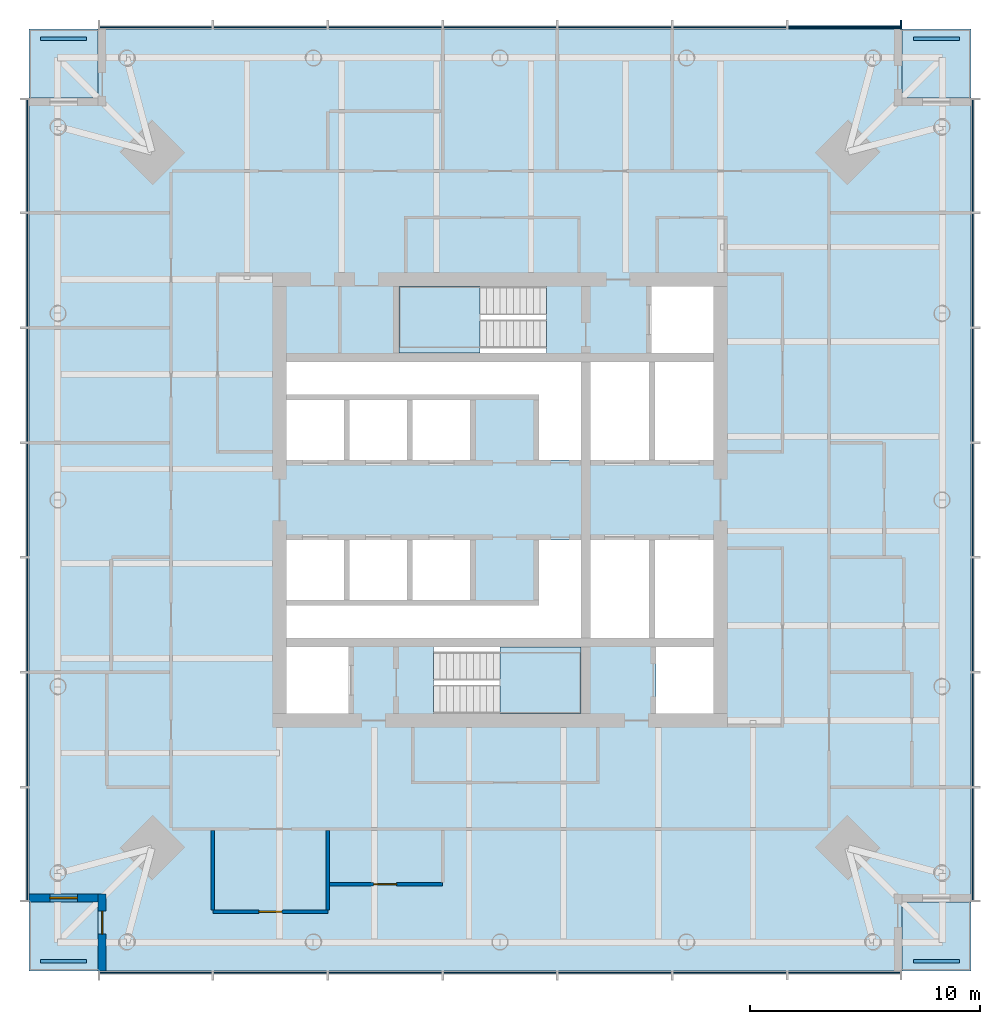
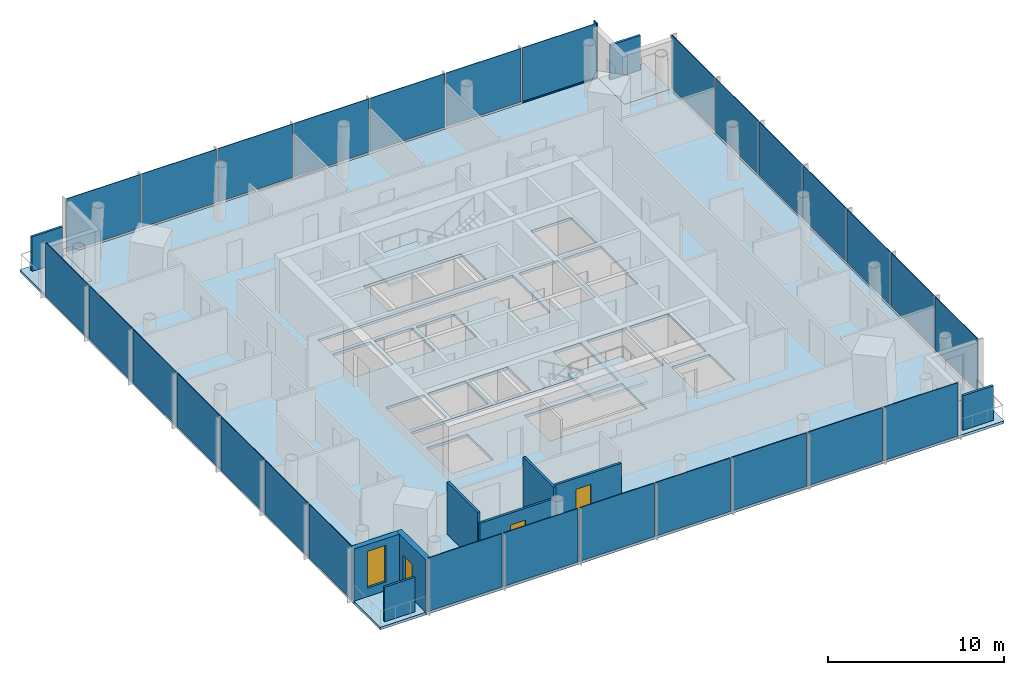
# One storey, part 3 of 8: 32 plates, 7 slabs, 6 walls, 3 doors, 2 members, 1 window, 4 openings, 6 elements without a shape of their own.
"""IFC4 building model written with IfcOpenShell, lengths in metres."""

from ifc_helpers import new_model, si_unit, direction, frame, frame_2d, origin, origin_2d, place, context, subcontext, project, spatial, polyline, rectangle, outline, extrude, material, layer, layer_set, material_profile, profile_set, type_object, element, fill, aggregate, save


model = new_model("IFC4")

# Units and contexts
model_context = context("Model", 3, precision=1e-05, world=origin(), true_north=direction((0.0, 1.0)))
body_context = subcontext(model_context, "Body", "Model", "MODEL_VIEW")
ifc_project = project(units=[si_unit("LENGTHUNIT", "METRE"), si_unit("AREAUNIT", "SQUARE_METRE"), si_unit("VOLUMEUNIT", "CUBIC_METRE"), si_unit("PLANEANGLEUNIT", "RADIAN"), si_unit("MASSUNIT", "GRAM", prefix="KILO")], contexts=[model_context])

# Site, building, storey
site_placement = place(None, origin())
site = spatial("IfcSite", under=ifc_project, at=site_placement, CompositionType="ELEMENT")
building_placement = place(site_placement, origin())
building = spatial("IfcBuilding", under=site, at=building_placement, Name="Ostroluk Exchange", CompositionType="ELEMENT")
storey_placement = place(building_placement, frame((0.0, 0.0, 169.199951171875)))
storey = spatial("IfcBuildingStorey", under=building, at=storey_placement, Name="L43", CompositionType="ELEMENT", Elevation=169.199951171875)

# Curtain wall, members
ifc_material_1 = material(Name="Laminated clear glass", Category="glass")
curtain_wall_type = type_object("IfcCurtainWallType", Name="Office tower facade", PredefinedType="USERDEFINED", material=ifc_material_1)
curtain_wall_1_placement = place(storey_placement, origin())
curtain_wall_1 = element("IfcCurtainWall", 1, at=curtain_wall_1_placement, inside=storey, type_object=curtain_wall_type, Name="Office tower north facade L43", ObjectType="UNITISED CURTAIN WALL", PredefinedType="USERDEFINED")
ifc_material_2 = material(Name="Aluminium mullion", Category="aluminium")
ifc_material_profile_1 = material_profile(ifc_material_2, rectangle(XDim=0.14990234375, YDim=0.080078125, at=origin_2d()), Name="Sill transom 80 x 150")
ifc_profile_set_1 = profile_set([ifc_material_profile_1], Name="Aluminium mullion")
member_type_1 = type_object("IfcMemberType", Name="Sill transom 80 x 150", PredefinedType="USERDEFINED", material=ifc_profile_set_1)
member_1_placement = place(storey_placement, frame((62.419921875, 66.574951171875, 0.0400390625), z_axis=(-1.0, 0.0, 0.0), x_axis=(0.0, -1.0, 0.0)))
member_1 = element("IfcMember", 2, at=member_1_placement, type_object=member_type_1, Name="CW-O1 transom 1.1", ObjectType="TRANSOM", PredefinedType="USERDEFINED", context=body_context, shape_type="SweptSolid", body=[
    extrude(rectangle(XDim=0.14990234375, YDim=0.080078125, at=origin_2d()), origin(), (0.0, 0.0, 1.0), 4.8798828125),
])
ifc_material_3 = material(Name="Aluminium mullion with limestone facing", Category="masonry")
ifc_material_profile_2 = material_profile(ifc_material_3, rectangle(XDim=0.39990234375, YDim=0.080078125, at=origin_2d()), Name="Tracery mullion 80 x 400")
ifc_profile_set_2 = profile_set([ifc_material_profile_2], Name="Aluminium mullion with limestone facing")
member_type_2 = type_object("IfcMemberType", Name="Tracery mullion 80 x 400", PredefinedType="MULLION", material=ifc_profile_set_2)
member_2_placement = place(storey_placement, frame((62.4599609375, 66.699951171875, 0.0), z_axis=(0.0, 0.0, 1.0), x_axis=(0.0, -1.0, 0.0)))
member_2 = element("IfcMember", 3, at=member_2_placement, type_object=member_type_2, Name="CW-O1 mullion 1", PredefinedType="MULLION", context=body_context, shape_type="SweptSolid", body=[
    extrude(rectangle(XDim=0.39990234375, YDim=0.080078125, at=origin_2d()), origin(), (0.0, 0.0, 1.0), 3.800048828125),
])

# Slabs
ifc_material_4 = material(Name="Concrete C35/45", Category="concrete")
ifc_layer_1 = layer(ifc_material_4, 0.179931640625)
ifc_layer_set_1 = layer_set([ifc_layer_1], Name="Balcony slab 180")
slab_type_1 = type_object("IfcSlabType", Name="Balcony slab 180", PredefinedType="USERDEFINED", material=ifc_layer_set_1)
slab_1_placement = place(storey_placement, frame((0.0, 0.0, -0.179931640625)))
element("IfcSlab", 4, at=slab_1_placement, inside=storey, type_object=slab_type_1, Name="Office tower SE corner balcony L43", ObjectType="BALCONY", PredefinedType="USERDEFINED", context=body_context, shape_type="SweptSolid", body=[
    extrude(outline(polyline([(62.5, 25.5), (65.5, 25.5), (65.5, 28.5), (62.5, 28.5), (62.5, 25.5)])), origin(), (0.0, 0.0, 1.0), 0.179931640625),
])
slab_2_placement = place(storey_placement, frame((0.0, 0.0, -0.179931640625)))
element("IfcSlab", 5, at=slab_2_placement, inside=storey, type_object=slab_type_1, Name="Office tower NE corner balcony L43", ObjectType="BALCONY", PredefinedType="USERDEFINED", context=body_context, shape_type="SweptSolid", body=[
    extrude(outline(polyline([(62.5, 63.5), (65.5, 63.5), (65.5, 66.5), (62.5, 66.5), (62.5, 63.5)])), origin(), (0.0, 0.0, 1.0), 0.179931640625),
])
slab_3_placement = place(storey_placement, frame((0.0, 0.0, -0.179931640625)))
element("IfcSlab", 6, at=slab_3_placement, inside=storey, type_object=slab_type_1, Name="Office tower NW corner balcony L43", ObjectType="BALCONY", PredefinedType="USERDEFINED", context=body_context, shape_type="SweptSolid", body=[
    extrude(outline(polyline([(24.5, 63.5), (27.5, 63.5), (27.5, 66.5), (24.5, 66.5), (24.5, 63.5)])), origin(), (0.0, 0.0, 1.0), 0.179931640625),
])
slab_4_placement = place(storey_placement, frame((0.0, 0.0, -0.179931640625)))
element("IfcSlab", 7, at=slab_4_placement, inside=storey, type_object=slab_type_1, Name="Office tower SW corner balcony L43", ObjectType="BALCONY", PredefinedType="USERDEFINED", context=body_context, shape_type="SweptSolid", body=[
    extrude(outline(polyline([(24.5, 25.5), (27.5, 25.5), (27.5, 28.5), (24.5, 28.5), (24.5, 25.5)])), origin(), (0.0, 0.0, 1.0), 0.179931640625),
])

# Plates
ifc_material_5 = material(Name="Steel S355 trellis with planting", Category="steel")
ifc_layer_2 = layer(ifc_material_5, 0.14990234375)
ifc_layer_set_2 = layer_set([ifc_layer_2], Name="Planted screen 150")
plate_type_1 = type_object("IfcPlateType", Name="Planted screen 150", PredefinedType="USERDEFINED", material=ifc_layer_set_2)
for number, where, z_axis, x_axis, name in (
    (8, (64.0, 25.925048828125, 0.0), (0.0, 0.0, 1.0), (1.0, 0.0, 0.0), "Office tower SE planted screen L43"),
    (9, (64.0, 66.074951171875, 0.0), (0.0, 0.0, 1.0), (1.0, 0.0, 0.0), "Office tower NE planted screen L43"),
    (10, (26.0, 66.074951171875, 0.0), (0.0, 0.0, 1.0), (1.0, 0.0, 0.0), "Office tower NW planted screen L43"),
    (11, (26.0, 25.925048828125, 0.0), (0.0, 0.0, 1.0), (1.0, 0.0, 0.0), "Office tower SW planted screen L43"),
):
    element("IfcPlate", number, at=place(storey_placement, frame(where, z_axis=z_axis, x_axis=x_axis)), inside=storey, type_object=plate_type_1, Name=name, ObjectType="PLANTED SCREEN", PredefinedType="USERDEFINED", context=body_context, shape_type="SweptSolid", body=[
        extrude(rectangle(XDim=2.0, YDim=0.14990234375, at=origin_2d()), origin(), (0.0, 0.0, 1.0), 2.39990234375),
    ])

# Stair, slab
ifc_material_6 = material(Name="Concrete C30/37", Category="concrete")
stair_type = type_object("IfcStairType", Name="Exit stair half turn 3800", PredefinedType="HALF_TURN_STAIR", material=ifc_material_6)
stair_1_placement = place(storey_placement, origin())
stair_1 = element("IfcStair", 12, at=stair_1_placement, inside=storey, type_object=stair_type, Name="Stair T1-S1 L43", PredefinedType="HALF_TURN_STAIR")
ifc_material_7 = material(Name="Concrete C30/37", Category="concrete")
ifc_layer_3 = layer(ifc_material_7, 0.199951171875)
ifc_layer_set_3 = layer_set([ifc_layer_3], Name="Stair landing 200")
slab_type_2 = type_object("IfcSlabType", Name="Stair landing 200", PredefinedType="LANDING", material=ifc_layer_set_3)
slab_5_placement = place(storey_placement, frame((0.0, 0.0, 1.699951171875)))
slab_5 = element("IfcSlab", 13, at=slab_5_placement, type_object=slab_type_2, Name="T1-S1 landing 1", PredefinedType="LANDING", context=body_context, shape_type="SweptSolid", body=[
    extrude(outline(polyline([(45.0, 36.699951171875), (45.0, 39.60009765625), (48.530029296875, 39.60009765625), (48.530029296875, 36.699951171875), (45.0, 36.699951171875)])), origin(), (0.0, 0.0, 1.0), 0.2001953125),
])
aggregate(stair_1, [slab_5])

stair_2_placement = place(storey_placement, origin())
stair_2 = element("IfcStair", 14, at=stair_2_placement, inside=storey, type_object=stair_type, Name="Stair T1-S2 L43", PredefinedType="HALF_TURN_STAIR")
slab_6_placement = place(storey_placement, frame((0.0, 0.0, 1.699951171875)))
slab_6 = element("IfcSlab", 15, at=slab_6_placement, type_object=slab_type_2, Name="T1-S2 landing 1", PredefinedType="LANDING", context=body_context, shape_type="SweptSolid", body=[
    extrude(outline(polyline([(44.1298828125, 52.39990234375), (44.1298828125, 55.300048828125), (40.60009765625, 55.300048828125), (40.60009765625, 52.39990234375), (44.1298828125, 52.39990234375)])), origin(), (0.0, 0.0, 1.0), 0.2001953125),
])
aggregate(stair_2, [slab_6])

# Slab
ifc_material_8 = material(Name="Concrete C35/45", Category="concrete")
ifc_layer_4 = layer(ifc_material_8, 0.179931640625)
ifc_layer_set_4 = layer_set([ifc_layer_4], Name="Tower floor slab 180 composite")
slab_type_3 = type_object("IfcSlabType", Name="Tower floor slab 180 composite", PredefinedType="FLOOR", material=ifc_layer_set_4)
slab_7_placement = place(storey_placement, frame((0.0, 0.0, -0.179931640625)))
element("IfcSlab", 16, at=slab_7_placement, inside=storey, type_object=slab_type_3, Name="Office tower floor slab L43", PredefinedType="FLOOR", context=body_context, shape_type="SweptSolid", body=[
    extrude(outline(polyline([(27.5, 25.5), (62.5, 25.5), (62.5, 28.5), (65.5, 28.5), (65.5, 63.5), (62.5, 63.5), (62.5, 66.5), (27.5, 66.5), (27.5, 63.5), (24.5, 63.5), (24.5, 28.5), (27.5, 28.5), (27.5, 25.5)]), holes=[polyline([(35.699951171875, 36.699951171875), (38.39990234375, 36.699951171875), (38.39990234375, 39.60009765625), (35.699951171875, 39.60009765625), (35.699951171875, 36.699951171875)]), polyline([(42.110107421875, 36.699951171875), (48.530029296875, 36.699951171875), (48.530029296875, 39.60009765625), (42.110107421875, 39.60009765625), (42.110107421875, 36.699951171875)]), polyline([(51.800048828125, 36.699951171875), (54.300048828125, 36.699951171875), (54.300048828125, 39.60009765625), (51.800048828125, 39.60009765625), (51.800048828125, 36.699951171875)]), polyline([(40.60009765625, 52.39990234375), (47.02001953125, 52.39990234375), (47.02001953125, 55.300048828125), (40.60009765625, 55.300048828125), (40.60009765625, 52.39990234375)]), polyline([(51.60009765625, 52.39990234375), (54.300048828125, 52.39990234375), (54.300048828125, 55.300048828125), (51.60009765625, 55.300048828125), (51.60009765625, 52.39990234375)]), polyline([(35.699951171875, 47.75), (38.199951171875, 47.75), (38.199951171875, 50.35009765625), (35.699951171875, 50.35009765625), (35.699951171875, 47.75)]), polyline([(38.449951171875, 47.75), (40.949951171875, 47.75), (40.949951171875, 50.35009765625), (38.449951171875, 50.35009765625), (38.449951171875, 47.75)]), polyline([(41.199951171875, 47.75), (43.699951171875, 47.75), (43.699951171875, 50.35009765625), (41.199951171875, 50.35009765625), (41.199951171875, 47.75)]), polyline([(35.699951171875, 41.64990234375), (38.199951171875, 41.64990234375), (38.199951171875, 44.25), (35.699951171875, 44.25), (35.699951171875, 41.64990234375)]), polyline([(38.449951171875, 41.64990234375), (40.949951171875, 41.64990234375), (40.949951171875, 44.25), (38.449951171875, 44.25), (38.449951171875, 41.64990234375)]), polyline([(41.199951171875, 41.64990234375), (43.699951171875, 41.64990234375), (43.699951171875, 44.25), (41.199951171875, 44.25), (41.199951171875, 41.64990234375)]), polyline([(48.929931640625, 47.75), (51.489990234375, 47.75), (51.489990234375, 52.0), (48.929931640625, 52.0), (48.929931640625, 47.75)]), polyline([(51.739990234375, 47.75), (54.300048828125, 47.75), (54.300048828125, 52.0), (51.739990234375, 52.0), (51.739990234375, 47.75)]), polyline([(48.929931640625, 40.0), (51.489990234375, 40.0), (51.489990234375, 44.25), (48.929931640625, 44.25), (48.929931640625, 40.0)]), polyline([(51.739990234375, 40.0), (54.300048828125, 40.0), (54.300048828125, 44.25), (51.739990234375, 44.25), (51.739990234375, 40.0)]), polyline([(48.530029296875, 52.0), (48.530029296875, 47.75), (46.699951171875, 47.75), (46.699951171875, 50.60009765625), (35.699951171875, 50.60009765625), (35.699951171875, 52.0), (48.530029296875, 52.0)]), polyline([(35.699951171875, 40.0), (35.699951171875, 41.39990234375), (46.699951171875, 41.39990234375), (46.699951171875, 44.25), (48.530029296875, 44.25), (48.530029296875, 40.0), (35.699951171875, 40.0)])]), origin(), (0.0, 0.0, 1.0), 0.179931640625),
])

# Curtain wall, plates
curtain_wall_2_placement = place(storey_placement, origin())
curtain_wall_2 = element("IfcCurtainWall", 17, at=curtain_wall_2_placement, inside=storey, type_object=curtain_wall_type, Name="Office tower south facade L43", ObjectType="UNITISED CURTAIN WALL", PredefinedType="USERDEFINED")
ifc_material_9 = material(Name="Laminated clear glass", Category="glass")
ifc_layer_5 = layer(ifc_material_9, 0.0439453125)
ifc_layer_set_5 = layer_set([ifc_layer_5], Name="Triple laminated clear glazing 44")
plate_type_2 = type_object("IfcPlateType", Name="Triple laminated clear glazing 44", PredefinedType="CURTAIN_PANEL", material=ifc_layer_set_5)
plate_1_placement = place(storey_placement, frame((30.02001953125, 25.425048828125, 0.080078125), z_axis=(0.0, 0.0, 1.0), x_axis=(1.0, 0.0, 0.0)))
plate_1 = element("IfcPlate", 18, at=plate_1_placement, type_object=plate_type_2, Name="CW-O1 panel 1.1", PredefinedType="CURTAIN_PANEL", context=body_context, shape_type="SweptSolid", body=[
    extrude(rectangle(XDim=4.8798828125, YDim=0.0439453125, at=origin_2d()), origin(), (0.0, 0.0, 1.0), 3.719970703125),
])
plate_2_placement = place(storey_placement, frame((35.0, 25.425048828125, 0.080078125), z_axis=(0.0, 0.0, 1.0), x_axis=(1.0, 0.0, 0.0)))
plate_2 = element("IfcPlate", 19, at=plate_2_placement, type_object=plate_type_2, Name="CW-O1 panel 2.1", PredefinedType="CURTAIN_PANEL", context=body_context, shape_type="SweptSolid", body=[
    extrude(rectangle(XDim=4.919921875, YDim=0.0439453125, at=origin_2d()), origin(), (0.0, 0.0, 1.0), 3.719970703125),
])
plate_3_placement = place(storey_placement, frame((40.0, 25.425048828125, 0.080078125), z_axis=(0.0, 0.0, 1.0), x_axis=(1.0, 0.0, 0.0)))
plate_3 = element("IfcPlate", 20, at=plate_3_placement, type_object=plate_type_2, Name="CW-O1 panel 3.1", PredefinedType="CURTAIN_PANEL", context=body_context, shape_type="SweptSolid", body=[
    extrude(rectangle(XDim=4.919921875, YDim=0.0439453125, at=origin_2d()), origin(), (0.0, 0.0, 1.0), 3.719970703125),
])
plate_4_placement = place(storey_placement, frame((45.0, 25.425048828125, 0.080078125), z_axis=(0.0, 0.0, 1.0), x_axis=(1.0, 0.0, 0.0)))
plate_4 = element("IfcPlate", 21, at=plate_4_placement, type_object=plate_type_2, Name="CW-O1 panel 4.1", PredefinedType="CURTAIN_PANEL", context=body_context, shape_type="SweptSolid", body=[
    extrude(rectangle(XDim=4.919921875, YDim=0.0439453125, at=origin_2d()), origin(), (0.0, 0.0, 1.0), 3.719970703125),
])
plate_5_placement = place(storey_placement, frame((50.0, 25.425048828125, 0.080078125), z_axis=(0.0, 0.0, 1.0), x_axis=(1.0, 0.0, 0.0)))
plate_5 = element("IfcPlate", 22, at=plate_5_placement, type_object=plate_type_2, Name="CW-O1 panel 5.1", PredefinedType="CURTAIN_PANEL", context=body_context, shape_type="SweptSolid", body=[
    extrude(rectangle(XDim=4.919921875, YDim=0.0439453125, at=origin_2d()), origin(), (0.0, 0.0, 1.0), 3.719970703125),
])
plate_6_placement = place(storey_placement, frame((55.0, 25.425048828125, 0.080078125), z_axis=(0.0, 0.0, 1.0), x_axis=(1.0, 0.0, 0.0)))
plate_6 = element("IfcPlate", 23, at=plate_6_placement, type_object=plate_type_2, Name="CW-O1 panel 6.1", PredefinedType="CURTAIN_PANEL", context=body_context, shape_type="SweptSolid", body=[
    extrude(rectangle(XDim=4.919921875, YDim=0.0439453125, at=origin_2d()), origin(), (0.0, 0.0, 1.0), 3.719970703125),
])
plate_7_placement = place(storey_placement, frame((59.97998046875, 25.425048828125, 0.080078125), z_axis=(0.0, 0.0, 1.0), x_axis=(1.0, 0.0, 0.0)))
plate_7 = element("IfcPlate", 24, at=plate_7_placement, type_object=plate_type_2, Name="CW-O1 panel 7.1", PredefinedType="CURTAIN_PANEL", context=body_context, shape_type="SweptSolid", body=[
    extrude(rectangle(XDim=4.8798828125, YDim=0.0439453125, at=origin_2d()), origin(), (0.0, 0.0, 1.0), 3.719970703125),
])
aggregate(curtain_wall_2, [plate_1, plate_2, plate_3, plate_4, plate_5, plate_6, plate_7])

curtain_wall_3_placement = place(storey_placement, origin())
curtain_wall_3 = element("IfcCurtainWall", 25, at=curtain_wall_3_placement, inside=storey, type_object=curtain_wall_type, Name="Office tower east facade L43", ObjectType="UNITISED CURTAIN WALL", PredefinedType="USERDEFINED")
plate_8_placement = place(storey_placement, frame((65.574951171875, 31.02001953125, 0.080078125), z_axis=(0.0, 0.0, 1.0), x_axis=(0.0, 1.0, 0.0)))
plate_8 = element("IfcPlate", 26, at=plate_8_placement, type_object=plate_type_2, Name="CW-O1 panel 1.1", PredefinedType="CURTAIN_PANEL", context=body_context, shape_type="SweptSolid", body=[
    extrude(rectangle(XDim=4.8798828125, YDim=0.0439453125, at=origin_2d()), origin(), (0.0, 0.0, 1.0), 3.719970703125),
])
plate_9_placement = place(storey_placement, frame((65.574951171875, 36.0, 0.080078125), z_axis=(0.0, 0.0, 1.0), x_axis=(0.0, 1.0, 0.0)))
plate_9 = element("IfcPlate", 27, at=plate_9_placement, type_object=plate_type_2, Name="CW-O1 panel 2.1", PredefinedType="CURTAIN_PANEL", context=body_context, shape_type="SweptSolid", body=[
    extrude(rectangle(XDim=4.919921875, YDim=0.0439453125, at=origin_2d()), origin(), (0.0, 0.0, 1.0), 3.719970703125),
])
plate_10_placement = place(storey_placement, frame((65.574951171875, 41.0, 0.080078125), z_axis=(0.0, 0.0, 1.0), x_axis=(0.0, 1.0, 0.0)))
plate_10 = element("IfcPlate", 28, at=plate_10_placement, type_object=plate_type_2, Name="CW-O1 panel 3.1", PredefinedType="CURTAIN_PANEL", context=body_context, shape_type="SweptSolid", body=[
    extrude(rectangle(XDim=4.919921875, YDim=0.0439453125, at=origin_2d()), origin(), (0.0, 0.0, 1.0), 3.719970703125),
])
plate_11_placement = place(storey_placement, frame((65.574951171875, 46.0, 0.080078125), z_axis=(0.0, 0.0, 1.0), x_axis=(0.0, 1.0, 0.0)))
plate_11 = element("IfcPlate", 29, at=plate_11_placement, type_object=plate_type_2, Name="CW-O1 panel 4.1", PredefinedType="CURTAIN_PANEL", context=body_context, shape_type="SweptSolid", body=[
    extrude(rectangle(XDim=4.919921875, YDim=0.0439453125, at=origin_2d()), origin(), (0.0, 0.0, 1.0), 3.719970703125),
])
plate_12_placement = place(storey_placement, frame((65.574951171875, 51.0, 0.080078125), z_axis=(0.0, 0.0, 1.0), x_axis=(0.0, 1.0, 0.0)))
plate_12 = element("IfcPlate", 30, at=plate_12_placement, type_object=plate_type_2, Name="CW-O1 panel 5.1", PredefinedType="CURTAIN_PANEL", context=body_context, shape_type="SweptSolid", body=[
    extrude(rectangle(XDim=4.919921875, YDim=0.0439453125, at=origin_2d()), origin(), (0.0, 0.0, 1.0), 3.719970703125),
])
plate_13_placement = place(storey_placement, frame((65.574951171875, 56.0, 0.080078125), z_axis=(0.0, 0.0, 1.0), x_axis=(0.0, 1.0, 0.0)))
plate_13 = element("IfcPlate", 31, at=plate_13_placement, type_object=plate_type_2, Name="CW-O1 panel 6.1", PredefinedType="CURTAIN_PANEL", context=body_context, shape_type="SweptSolid", body=[
    extrude(rectangle(XDim=4.919921875, YDim=0.0439453125, at=origin_2d()), origin(), (0.0, 0.0, 1.0), 3.719970703125),
])
plate_14_placement = place(storey_placement, frame((65.574951171875, 60.97998046875, 0.080078125), z_axis=(0.0, 0.0, 1.0), x_axis=(0.0, 1.0, 0.0)))
plate_14 = element("IfcPlate", 32, at=plate_14_placement, type_object=plate_type_2, Name="CW-O1 panel 7.1", PredefinedType="CURTAIN_PANEL", context=body_context, shape_type="SweptSolid", body=[
    extrude(rectangle(XDim=4.8798828125, YDim=0.0439453125, at=origin_2d()), origin(), (0.0, 0.0, 1.0), 3.719970703125),
])
aggregate(curtain_wall_3, [plate_8, plate_9, plate_10, plate_11, plate_12, plate_13, plate_14])

# Plate
plate_15_placement = place(storey_placement, frame((59.97998046875, 66.574951171875, 0.080078125), z_axis=(0.0, 0.0, 1.0), x_axis=(-1.0, 0.0, 0.0)))
plate_15 = element("IfcPlate", 33, at=plate_15_placement, type_object=plate_type_2, Name="CW-O1 panel 1.1", PredefinedType="CURTAIN_PANEL", context=body_context, shape_type="SweptSolid", body=[
    extrude(rectangle(XDim=4.8798828125, YDim=0.0439453125, at=origin_2d()), origin(), (0.0, 0.0, 1.0), 3.719970703125),
])

plate_16_placement = place(storey_placement, frame((55.0, 66.574951171875, 0.080078125), z_axis=(0.0, 0.0, 1.0), x_axis=(-1.0, 0.0, 0.0)))
plate_16 = element("IfcPlate", 34, at=plate_16_placement, type_object=plate_type_2, Name="CW-O1 panel 2.1", PredefinedType="CURTAIN_PANEL", context=body_context, shape_type="SweptSolid", body=[
    extrude(rectangle(XDim=4.919921875, YDim=0.0439453125, at=origin_2d()), origin(), (0.0, 0.0, 1.0), 3.719970703125),
])

plate_17_placement = place(storey_placement, frame((50.0, 66.574951171875, 0.080078125), z_axis=(0.0, 0.0, 1.0), x_axis=(-1.0, 0.0, 0.0)))
plate_17 = element("IfcPlate", 35, at=plate_17_placement, type_object=plate_type_2, Name="CW-O1 panel 3.1", PredefinedType="CURTAIN_PANEL", context=body_context, shape_type="SweptSolid", body=[
    extrude(rectangle(XDim=4.919921875, YDim=0.0439453125, at=origin_2d()), origin(), (0.0, 0.0, 1.0), 3.719970703125),
])

plate_18_placement = place(storey_placement, frame((45.0, 66.574951171875, 0.080078125), z_axis=(0.0, 0.0, 1.0), x_axis=(-1.0, 0.0, 0.0)))
plate_18 = element("IfcPlate", 36, at=plate_18_placement, type_object=plate_type_2, Name="CW-O1 panel 4.1", PredefinedType="CURTAIN_PANEL", context=body_context, shape_type="SweptSolid", body=[
    extrude(rectangle(XDim=4.919921875, YDim=0.0439453125, at=origin_2d()), origin(), (0.0, 0.0, 1.0), 3.719970703125),
])

plate_19_placement = place(storey_placement, frame((40.0, 66.574951171875, 0.080078125), z_axis=(0.0, 0.0, 1.0), x_axis=(-1.0, 0.0, 0.0)))
plate_19 = element("IfcPlate", 37, at=plate_19_placement, type_object=plate_type_2, Name="CW-O1 panel 5.1", PredefinedType="CURTAIN_PANEL", context=body_context, shape_type="SweptSolid", body=[
    extrude(rectangle(XDim=4.919921875, YDim=0.0439453125, at=origin_2d()), origin(), (0.0, 0.0, 1.0), 3.719970703125),
])

plate_20_placement = place(storey_placement, frame((35.0, 66.574951171875, 0.080078125), z_axis=(0.0, 0.0, 1.0), x_axis=(-1.0, 0.0, 0.0)))
plate_20 = element("IfcPlate", 38, at=plate_20_placement, type_object=plate_type_2, Name="CW-O1 panel 6.1", PredefinedType="CURTAIN_PANEL", context=body_context, shape_type="SweptSolid", body=[
    extrude(rectangle(XDim=4.919921875, YDim=0.0439453125, at=origin_2d()), origin(), (0.0, 0.0, 1.0), 3.719970703125),
])

plate_21_placement = place(storey_placement, frame((30.02001953125, 66.574951171875, 0.080078125), z_axis=(0.0, 0.0, 1.0), x_axis=(-1.0, 0.0, 0.0)))
plate_21 = element("IfcPlate", 39, at=plate_21_placement, type_object=plate_type_2, Name="CW-O1 panel 7.1", PredefinedType="CURTAIN_PANEL", context=body_context, shape_type="SweptSolid", body=[
    extrude(rectangle(XDim=4.8798828125, YDim=0.0439453125, at=origin_2d()), origin(), (0.0, 0.0, 1.0), 3.719970703125),
])

aggregate(curtain_wall_1, [member_2, member_1, plate_15, plate_16, plate_17, plate_18, plate_19, plate_20, plate_21])

# Curtain wall, plates
curtain_wall_4_placement = place(storey_placement, origin())
curtain_wall_4 = element("IfcCurtainWall", 40, at=curtain_wall_4_placement, inside=storey, type_object=curtain_wall_type, Name="Office tower west facade L43", ObjectType="UNITISED CURTAIN WALL", PredefinedType="USERDEFINED")
plate_22_placement = place(storey_placement, frame((24.425048828125, 60.97998046875, 0.080078125), z_axis=(0.0, 0.0, 1.0), x_axis=(0.0, -1.0, 0.0)))
plate_22 = element("IfcPlate", 41, at=plate_22_placement, type_object=plate_type_2, Name="CW-O1 panel 1.1", PredefinedType="CURTAIN_PANEL", context=body_context, shape_type="SweptSolid", body=[
    extrude(rectangle(XDim=4.8798828125, YDim=0.0439453125, at=origin_2d()), origin(), (0.0, 0.0, 1.0), 3.719970703125),
])
plate_23_placement = place(storey_placement, frame((24.425048828125, 56.0, 0.080078125), z_axis=(0.0, 0.0, 1.0), x_axis=(0.0, -1.0, 0.0)))
plate_23 = element("IfcPlate", 42, at=plate_23_placement, type_object=plate_type_2, Name="CW-O1 panel 2.1", PredefinedType="CURTAIN_PANEL", context=body_context, shape_type="SweptSolid", body=[
    extrude(rectangle(XDim=4.919921875, YDim=0.0439453125, at=origin_2d()), origin(), (0.0, 0.0, 1.0), 3.719970703125),
])
plate_24_placement = place(storey_placement, frame((24.425048828125, 51.0, 0.080078125), z_axis=(0.0, 0.0, 1.0), x_axis=(0.0, -1.0, 0.0)))
plate_24 = element("IfcPlate", 43, at=plate_24_placement, type_object=plate_type_2, Name="CW-O1 panel 3.1", PredefinedType="CURTAIN_PANEL", context=body_context, shape_type="SweptSolid", body=[
    extrude(rectangle(XDim=4.919921875, YDim=0.0439453125, at=origin_2d()), origin(), (0.0, 0.0, 1.0), 3.719970703125),
])
plate_25_placement = place(storey_placement, frame((24.425048828125, 46.0, 0.080078125), z_axis=(0.0, 0.0, 1.0), x_axis=(0.0, -1.0, 0.0)))
plate_25 = element("IfcPlate", 44, at=plate_25_placement, type_object=plate_type_2, Name="CW-O1 panel 4.1", PredefinedType="CURTAIN_PANEL", context=body_context, shape_type="SweptSolid", body=[
    extrude(rectangle(XDim=4.919921875, YDim=0.0439453125, at=origin_2d()), origin(), (0.0, 0.0, 1.0), 3.719970703125),
])
plate_26_placement = place(storey_placement, frame((24.425048828125, 41.0, 0.080078125), z_axis=(0.0, 0.0, 1.0), x_axis=(0.0, -1.0, 0.0)))
plate_26 = element("IfcPlate", 45, at=plate_26_placement, type_object=plate_type_2, Name="CW-O1 panel 5.1", PredefinedType="CURTAIN_PANEL", context=body_context, shape_type="SweptSolid", body=[
    extrude(rectangle(XDim=4.919921875, YDim=0.0439453125, at=origin_2d()), origin(), (0.0, 0.0, 1.0), 3.719970703125),
])
plate_27_placement = place(storey_placement, frame((24.425048828125, 36.0, 0.080078125), z_axis=(0.0, 0.0, 1.0), x_axis=(0.0, -1.0, 0.0)))
plate_27 = element("IfcPlate", 46, at=plate_27_placement, type_object=plate_type_2, Name="CW-O1 panel 6.1", PredefinedType="CURTAIN_PANEL", context=body_context, shape_type="SweptSolid", body=[
    extrude(rectangle(XDim=4.919921875, YDim=0.0439453125, at=origin_2d()), origin(), (0.0, 0.0, 1.0), 3.719970703125),
])
plate_28_placement = place(storey_placement, frame((24.425048828125, 31.02001953125, 0.080078125), z_axis=(0.0, 0.0, 1.0), x_axis=(0.0, -1.0, 0.0)))
plate_28 = element("IfcPlate", 47, at=plate_28_placement, type_object=plate_type_2, Name="CW-O1 panel 7.1", PredefinedType="CURTAIN_PANEL", context=body_context, shape_type="SweptSolid", body=[
    extrude(rectangle(XDim=4.8798828125, YDim=0.0439453125, at=origin_2d()), origin(), (0.0, 0.0, 1.0), 3.719970703125),
])
aggregate(curtain_wall_4, [plate_22, plate_23, plate_24, plate_25, plate_26, plate_27, plate_28])

# Wall, opening, door
ifc_material_10 = material(Name="Limestone", Category="masonry")
ifc_layer_6 = layer(ifc_material_10, 0.35009765625)
ifc_layer_set_6 = layer_set([ifc_layer_6], Name="Limestone facade wall 350")
wall_type_1 = type_object("IfcWallType", Name="Limestone facade wall 350", PredefinedType="SOLIDWALL", material=ifc_layer_set_6)
wall_1_placement = place(storey_placement, frame((27.675048828125, 25.5, 0.0), z_axis=(0.0, 0.0, 1.0), x_axis=(0.0, 1.0, 0.0)))
wall_1 = element("IfcWall", 48, at=wall_1_placement, inside=storey, type_object=wall_type_1, Name="Office tower SW corner wall L43 a", PredefinedType="SOLIDWALL", context=body_context, shape_type="SweptSolid", body=[
    extrude(rectangle(XDim=3.35009765625, YDim=0.35009765625, at=frame_2d((1.675048828125, 0.0))), origin(), (0.0, 0.0, 1.0), 3.6201171875),
])
opening_1_placement = place(wall_1_placement, frame((1.60009765625, 0.0, 0.0)))
opening_1 = element("IfcOpeningElement", 49, at=opening_1_placement, cuts=wall_1, Name="Opening D-B1", PredefinedType="OPENING", context=body_context, shape_type="SweptSolid", body=[
    extrude(rectangle(XDim=1.0, YDim=2.39990234375, at=frame_2d((0.5, 1.199951171875))), frame((0.0, 0.18505859375, 0.0), z_axis=(0.0, -1.0, 0.0), x_axis=(1.0, 0.0, 0.0)), (0.0, 0.0, 1.0), 0.3701171875),
])
ifc_material_11 = material(Name="Bronze framed glazed door", Category="aluminium")
door_type_1 = type_object("IfcDoorType", Name="Balcony door 1000 x 2400", OperationType="SINGLE_SWING_LEFT", PredefinedType="DOOR", material=ifc_material_11)
door_1_placement = place(opening_1_placement, origin())
door_1 = element("IfcDoor", 50, at=door_1_placement, inside=storey, type_object=door_type_1, Name="Office tower SW balcony door L43", OperationType="SINGLE_SWING_RIGHT", OverallHeight=2.39990234375, OverallWidth=1.0, PredefinedType="DOOR", context=body_context, shape_type="SweptSolid", body=[
    extrude(rectangle(XDim=1.0, YDim=2.39990234375, at=frame_2d((0.5, 1.199951171875))), frame((0.0, 0.02490234375, 0.0), z_axis=(0.0, -1.0, 0.0), x_axis=(1.0, 0.0, 0.0)), (0.0, 0.0, 1.0), 0.050048828125),
])
fill(opening_1, door_1)

# Wall, opening, window
wall_2_placement = place(storey_placement, frame((27.5, 28.675048828125, 0.0), z_axis=(0.0, 0.0, 1.0), x_axis=(-1.0, 0.0, 0.0)))
wall_2 = element("IfcWall", 51, at=wall_2_placement, inside=storey, type_object=wall_type_1, Name="Office tower SW corner wall L43 b", PredefinedType="SOLIDWALL", context=body_context, shape_type="SweptSolid", body=[
    extrude(rectangle(XDim=3.0, YDim=0.35009765625, at=frame_2d((1.5, 0.0))), origin(), (0.0, 0.0, 1.0), 3.6201171875),
])
opening_2_placement = place(wall_2_placement, frame((0.89990234375, 0.0, 0.60009765625)))
opening_2 = element("IfcOpeningElement", 52, at=opening_2_placement, cuts=wall_2, Name="Opening WN-L1", PredefinedType="OPENING", context=body_context, shape_type="SweptSolid", body=[
    extrude(rectangle(XDim=1.199951171875, YDim=2.550048828125, at=frame_2d((0.60009765625, 1.27490234375))), frame((0.0, 0.18505859375, 0.0), z_axis=(0.0, -1.0, 0.0), x_axis=(1.0, 0.0, 0.0)), (0.0, 0.0, 1.0), 0.3701171875),
])
ifc_material_12 = material(Name="Laminated clear glass", Category="glass")
window_type = type_object("IfcWindowType", Name="Lancet window 1200 x 2550", PartitioningType="SINGLE_PANEL", PredefinedType="WINDOW", material=ifc_material_12)
window_placement = place(opening_2_placement, origin())
window = element("IfcWindow", 53, at=window_placement, inside=storey, type_object=window_type, Name="Office tower SW lancet window L43", OverallHeight=2.550048828125, OverallWidth=1.199951171875, PartitioningType="SINGLE_PANEL", PredefinedType="WINDOW", context=body_context, shape_type="SweptSolid", body=[
    extrude(rectangle(XDim=1.199951171875, YDim=2.550048828125, at=frame_2d((0.60009765625, 1.27490234375))), frame((0.0, 0.030029296875, 0.0), z_axis=(0.0, -1.0, 0.0), x_axis=(1.0, 0.0, 0.0)), (0.0, 0.0, 1.0), 0.06005859375),
])
fill(opening_2, window)

# Wall, opening, door
ifc_material_13 = material(Name="Gypsum plasterboard partition", Category="gypsum")
ifc_layer_7 = layer(ifc_material_13, 0.14990234375)
ifc_layer_set_7 = layer_set([ifc_layer_7], Name="Plasterboard partition 150")
wall_type_2 = type_object("IfcWallType", Name="Plasterboard partition 150", PredefinedType="PARTITIONING", material=ifc_layer_set_7)
wall_3_placement = place(storey_placement, frame((32.5, 28.071533203125, 0.0), z_axis=(0.0, 0.0, 1.0), x_axis=(1.0, 0.0, 0.0)))
wall_3 = element("IfcWall", 54, at=wall_3_placement, inside=storey, type_object=wall_type_2, Name="Partition", PredefinedType="PARTITIONING", context=body_context, shape_type="SweptSolid", body=[
    extrude(rectangle(XDim=5.0, YDim=0.14990234375, at=frame_2d((2.5, 0.0))), origin(), (0.0, 0.0, 1.0), 2.920166015625),
])
opening_3_placement = place(wall_3_placement, frame((2.0, 0.0, 0.0)))
opening_3 = element("IfcOpeningElement", 55, at=opening_3_placement, cuts=wall_3, Name="Opening D-03", PredefinedType="OPENING", context=body_context, shape_type="SweptSolid", body=[
    extrude(rectangle(XDim=1.0, YDim=2.10009765625, at=frame_2d((0.5, 1.050048828125))), frame((0.0, 0.0849609375, 0.0), z_axis=(0.0, -1.0, 0.0), x_axis=(1.0, 0.0, 0.0)), (0.0, 0.0, 1.0), 0.169921875),
])
ifc_material_14 = material(Name="Timber", Category="wood")
door_type_2 = type_object("IfcDoorType", Name="Internal door 1000 x 2100", OperationType="SINGLE_SWING_LEFT", PredefinedType="DOOR", material=ifc_material_14)
door_2_placement = place(opening_3_placement, origin())
door_2 = element("IfcDoor", 56, at=door_2_placement, inside=storey, type_object=door_type_2, Name="Office reception door", OperationType="SINGLE_SWING_LEFT", OverallHeight=2.10009765625, OverallWidth=1.0, PredefinedType="DOOR", context=body_context, shape_type="SweptSolid", body=[
    extrude(rectangle(XDim=1.0, YDim=2.10009765625, at=frame_2d((0.5, 1.050048828125))), frame((0.0, 0.02490234375, 0.0), z_axis=(0.0, -1.0, 0.0), x_axis=(1.0, 0.0, 0.0)), (0.0, 0.0, 1.0), 0.050048828125),
])
fill(opening_3, door_2)

wall_4_placement = place(storey_placement, frame((37.5, 29.272705078125, 0.0), z_axis=(0.0, 0.0, 1.0), x_axis=(1.0, 0.0, 0.0)))
wall_4 = element("IfcWall", 57, at=wall_4_placement, inside=storey, type_object=wall_type_2, Name="Partition", PredefinedType="PARTITIONING", context=body_context, shape_type="SweptSolid", body=[
    extrude(rectangle(XDim=5.0, YDim=0.14990234375, at=frame_2d((2.5, 0.0))), origin(), (0.0, 0.0, 1.0), 2.866943359375),
])
opening_4_placement = place(wall_4_placement, frame((2.0, 0.0, 0.0)))
opening_4 = element("IfcOpeningElement", 58, at=opening_4_placement, cuts=wall_4, Name="Opening D-03", PredefinedType="OPENING", context=body_context, shape_type="SweptSolid", body=[
    extrude(rectangle(XDim=1.0, YDim=2.10009765625, at=frame_2d((0.5, 1.050048828125))), frame((0.0, 0.0849609375, 0.0), z_axis=(0.0, -1.0, 0.0), x_axis=(1.0, 0.0, 0.0)), (0.0, 0.0, 1.0), 0.169921875),
])
door_3_placement = place(opening_4_placement, origin())
door_3 = element("IfcDoor", 59, at=door_3_placement, inside=storey, type_object=door_type_2, Name="Pantry door", OperationType="SINGLE_SWING_LEFT", OverallHeight=2.10009765625, OverallWidth=1.0, PredefinedType="DOOR", context=body_context, shape_type="SweptSolid", body=[
    extrude(rectangle(XDim=1.0, YDim=2.10009765625, at=frame_2d((0.5, 1.050048828125))), frame((0.0, 0.02490234375, 0.0), z_axis=(0.0, -1.0, 0.0), x_axis=(1.0, 0.0, 0.0)), (0.0, 0.0, 1.0), 0.050048828125),
])
fill(opening_4, door_3)

# Walls
for number, where, z_axis, x_axis, name in (
    (60, (32.5, 31.60009765625, 0.0), (0.0, 0.0, 1.0), (0.0, -1.0, 0.0), "Partition"),
    (61, (37.5, 31.60009765625, 0.0), (0.0, 0.0, 1.0), (0.0, -1.0, 0.0), "Partition"),
):
    element("IfcWall", number, at=place(storey_placement, frame(where, z_axis=z_axis, x_axis=x_axis)), inside=storey, type_object=wall_type_2, Name=name, PredefinedType="PARTITIONING", context=body_context, shape_type="SweptSolid", body=[
        extrude(rectangle(XDim=3.45361328125, YDim=0.14990234375, at=frame_2d((1.726806640625, 0.0))), origin(), (0.0, 0.0, 1.0), 3.6201171875),
    ])

save(model, "model.ifc")
